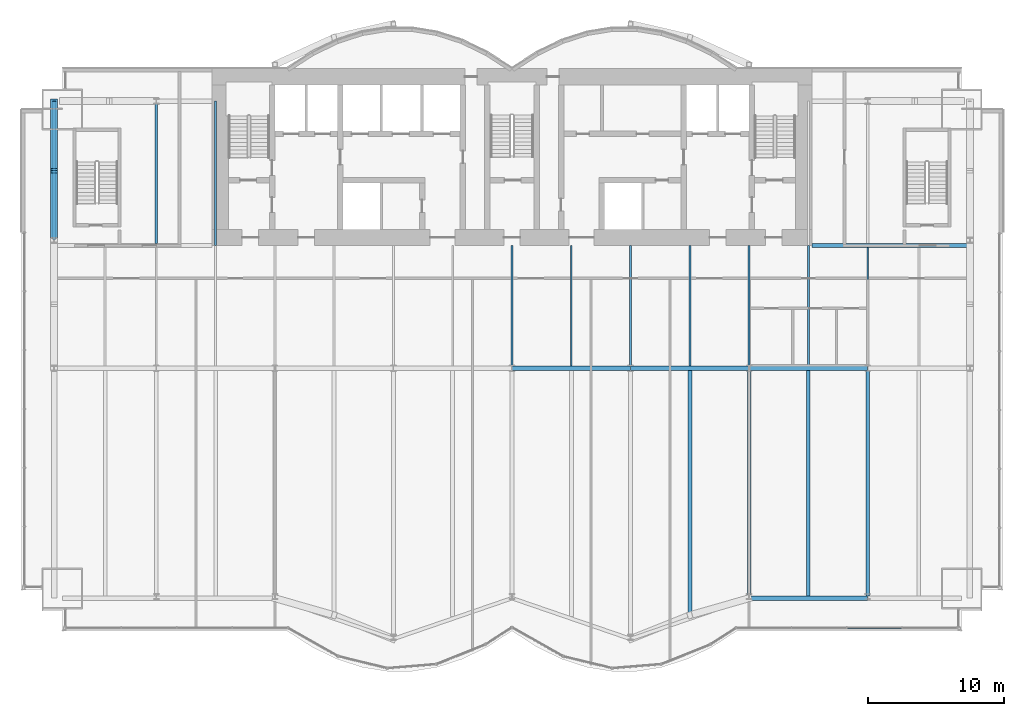
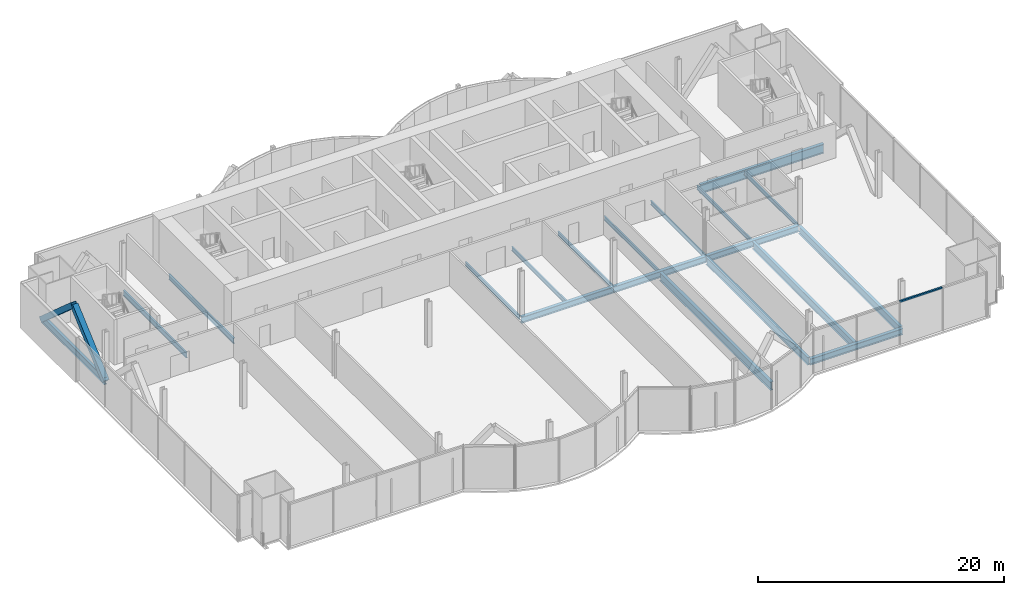
# One storey, part 9 of 21: 19 beams, 3 members, 1 element without a shape of its own.
"""IFC4 building model written with IfcOpenShell, lengths in metres."""

from ifc_helpers import new_model, si_unit, direction, frame, origin, origin_2d, place, context, subcontext, project, spatial, rectangle, hollow_rectangle, i_section, extrude, material, material_profile, profile_set, type_object, element, aggregate, save


model = new_model("IFC4")

# Units and contexts
model_context = context("Model", 3, precision=1e-05, world=origin(), true_north=direction((0.0, 1.0)))
body_context = subcontext(model_context, "Body", "Model", "MODEL_VIEW")
ifc_project = project(units=[si_unit("LENGTHUNIT", "METRE"), si_unit("AREAUNIT", "SQUARE_METRE"), si_unit("VOLUMEUNIT", "CUBIC_METRE"), si_unit("PLANEANGLEUNIT", "RADIAN"), si_unit("MASSUNIT", "GRAM", prefix="KILO")], contexts=[model_context])

# Site, building, storey
site_placement = place(None, origin())
site = spatial("IfcSite", under=ifc_project, at=site_placement, CompositionType="ELEMENT")
building_placement = place(site_placement, origin())
building = spatial("IfcBuilding", under=site, at=building_placement, Name="Bicima Exchange Tower", CompositionType="ELEMENT")
storey_placement = place(building_placement, frame((0.0, 0.0, 48.5)))
storey = spatial("IfcBuildingStorey", under=building, at=storey_placement, Name="L09", CompositionType="ELEMENT", Elevation=48.5)

# Beams
ifc_material_1 = material(Name="Steel ASTM A992 Gr 50", Category="steel")
ifc_material_profile_1 = material_profile(ifc_material_1, i_section(OverallWidth=0.3046875, OverallDepth=0.911865234375, WebThickness=0.015869140625, FlangeThickness=0.02392578125, at=origin_2d()))
ifc_profile_set_1 = profile_set([ifc_material_profile_1], Name="Steel ASTM A992 Gr 50")
beam_type_1 = type_object("IfcBeamType", Name="Core-line girder W36x150", PredefinedType="BEAM", material=ifc_profile_set_1)
beam_1_placement = place(storey_placement, frame((22.0, -13.0, -0.60595703125), z_axis=(1.0, 0.0, 0.0), x_axis=(0.0, 1.0, 0.0)))
element("IfcBeam", 1, at=beam_1_placement, inside=storey, type_object=beam_type_1, Name="Core-line girder", PredefinedType="BEAM", context=body_context, shape_type="SweptSolid", body=[
    extrude(i_section(OverallWidth=0.3046875, OverallDepth=0.911865234375, WebThickness=0.015869140625, FlangeThickness=0.02392578125, at=origin_2d()), origin(), (0.0, 0.0, 1.0), 11.60009765625),
])
ifc_material_profile_2 = material_profile(ifc_material_1, i_section(OverallWidth=0.256591796875, OverallDepth=0.693359375, WebThickness=0.014404296875, FlangeThickness=0.023681640625, at=origin_2d()))
ifc_profile_set_2 = profile_set([ifc_material_profile_2], Name="Steel ASTM A992 Gr 50")
beam_type_2 = type_object("IfcBeamType", Name="End girder W27x114", PredefinedType="BEAM", material=ifc_profile_set_2)
beam_2_placement = place(storey_placement, frame((-33.60009765625, -2.39990234375, -0.49658203125), z_axis=(0.0, -1.0, 0.0), x_axis=(1.0, 0.0, 0.0)))
element("IfcBeam", 2, at=beam_2_placement, inside=storey, type_object=beam_type_2, Name="End girder", PredefinedType="BEAM", context=body_context, shape_type="SweptSolid", body=[
    extrude(i_section(OverallWidth=0.256591796875, OverallDepth=0.693359375, WebThickness=0.014404296875, FlangeThickness=0.023681640625, at=origin_2d()), origin(), (0.0, 0.0, 1.0), 10.2001953125),
])
ifc_material_profile_3 = material_profile(ifc_material_1, i_section(OverallWidth=0.140380859375, OverallDepth=0.40380859375, WebThickness=0.007080078125, FlangeThickness=0.01123046875, at=origin_2d()))
ifc_profile_set_3 = profile_set([ifc_material_profile_3], Name="Steel ASTM A992 Gr 50")
beam_type_3 = type_object("IfcBeamType", Name="Floor beam W16x31", PredefinedType="JOIST", material=ifc_profile_set_3)
for number, where, z_axis, x_axis, name in (
    (3, (0.0, -13.0, -0.351806640625), (0.0, -1.0, 0.0), (1.0, 0.0, 0.0), "Floor beam"),
    (4, (4.35009765625, -13.0, -0.351806640625), (0.0, -1.0, 0.0), (1.0, 0.0, 0.0), "Floor beam"),
    (5, (8.699951171875, -13.0, -0.351806640625), (0.0, -1.0, 0.0), (1.0, 0.0, 0.0), "Floor beam"),
    (6, (13.050048828125, -13.0, -0.351806640625), (0.0, -1.0, 0.0), (1.0, 0.0, 0.0), "Floor beam"),
    (7, (17.39990234375, -13.0, -0.351806640625), (0.0, -1.0, 0.0), (1.0, 0.0, 0.0), "Floor beam"),
    (8, (21.75, -13.0, -0.351806640625), (0.0, -1.0, 0.0), (1.0, 0.0, 0.0), "Floor beam"),
):
    element("IfcBeam", number, at=place(storey_placement, frame(where, z_axis=z_axis, x_axis=x_axis)), inside=storey, type_object=beam_type_3, Name=name, PredefinedType="JOIST", context=body_context, shape_type="SweptSolid", body=[
        extrude(i_section(OverallWidth=0.140380859375, OverallDepth=0.40380859375, WebThickness=0.007080078125, FlangeThickness=0.01123046875, at=origin_2d()), origin(), (0.0, 0.0, 1.0), 8.83740234375),
    ])
beam_3_placement = place(storey_placement, frame((26.10009765625, -13.15234375, -0.351806640625), z_axis=(0.0, -1.0, 0.0), x_axis=(1.0, 0.0, 0.0)))
element("IfcBeam", 9, at=beam_3_placement, inside=storey, type_object=beam_type_3, Name="Floor beam", PredefinedType="JOIST", context=body_context, shape_type="SweptSolid", body=[
    extrude(i_section(OverallWidth=0.140380859375, OverallDepth=0.40380859375, WebThickness=0.007080078125, FlangeThickness=0.01123046875, at=origin_2d()), origin(), (0.0, 0.0, 1.0), 8.68505859375),
])
ifc_material_profile_4 = material_profile(ifc_material_1, i_section(OverallWidth=0.165771484375, OverallDepth=0.5283203125, WebThickness=0.009765625, FlangeThickness=0.013671875, at=origin_2d()))
ifc_profile_set_4 = profile_set([ifc_material_profile_4], Name="Steel ASTM A992 Gr 50")
beam_type_4 = type_object("IfcBeamType", Name="Floor beam W21x50", PredefinedType="JOIST", material=ifc_profile_set_4)
beam_4_placement = place(storey_placement, frame((-26.10009765625, -2.5625, -0.414306640625), z_axis=(0.0, -1.0, 0.0), x_axis=(1.0, 0.0, 0.0)))
element("IfcBeam", 10, at=beam_4_placement, inside=storey, type_object=beam_type_4, Name="Floor beam", PredefinedType="JOIST", context=body_context, shape_type="SweptSolid", body=[
    extrude(i_section(OverallWidth=0.165771484375, OverallDepth=0.5283203125, WebThickness=0.009765625, FlangeThickness=0.013671875, at=origin_2d()), origin(), (0.0, 0.0, 1.0), 10.28515625),
])
beam_5_placement = place(storey_placement, frame((-21.75, -2.39990234375, -0.414306640625), z_axis=(0.0, -1.0, 0.0), x_axis=(1.0, 0.0, 0.0)))
element("IfcBeam", 11, at=beam_5_placement, inside=storey, type_object=beam_type_4, Name="Floor beam", PredefinedType="JOIST", context=body_context, shape_type="SweptSolid", body=[
    extrude(i_section(OverallWidth=0.165771484375, OverallDepth=0.5283203125, WebThickness=0.009765625, FlangeThickness=0.013671875, at=origin_2d()), origin(), (0.0, 0.0, 1.0), 10.60009765625),
])
ifc_material_profile_5 = material_profile(ifc_material_1, i_section(OverallWidth=0.2666015625, OverallDepth=0.75439453125, WebThickness=0.01318359375, FlangeThickness=0.01708984375, at=origin_2d()))
ifc_profile_set_5 = profile_set([ifc_material_profile_5], Name="Steel ASTM A992 Gr 50")
beam_type_5 = type_object("IfcBeamType", Name="Floor beam W30x99", PredefinedType="JOIST", material=ifc_profile_set_5)
beam_6_placement = place(storey_placement, frame((17.39990234375, -22.16259765625, -0.527099609375), z_axis=(0.0, -1.0, 0.0), x_axis=(1.0, 0.0, 0.0)))
element("IfcBeam", 12, at=beam_6_placement, inside=storey, type_object=beam_type_5, Name="Floor beam", PredefinedType="JOIST", context=body_context, shape_type="SweptSolid", body=[
    extrude(i_section(OverallWidth=0.2666015625, OverallDepth=0.75439453125, WebThickness=0.01318359375, FlangeThickness=0.01708984375, at=origin_2d()), origin(), (0.0, 0.0, 1.0), 16.56982421875),
])
for number, where, z_axis, x_axis, name in (
    (13, (21.75, -22.16259765625, -0.527099609375), (0.0, -1.0, 0.0), (1.0, 0.0, 0.0), "Floor beam"),
    (14, (26.10009765625, -22.16259765625, -0.527099609375), (0.0, -1.0, 0.0), (1.0, 0.0, 0.0), "Floor beam"),
):
    element("IfcBeam", number, at=place(storey_placement, frame(where, z_axis=z_axis, x_axis=x_axis)), inside=storey, type_object=beam_type_5, Name=name, PredefinedType="JOIST", context=body_context, shape_type="SweptSolid", body=[
        extrude(i_section(OverallWidth=0.2666015625, OverallDepth=0.75439453125, WebThickness=0.01318359375, FlangeThickness=0.01708984375, at=origin_2d()), origin(), (0.0, 0.0, 1.0), 16.542724609375),
    ])
ifc_material_profile_6 = material_profile(ifc_material_1, i_section(OverallWidth=0.2919921875, OverallDepth=0.835693359375, WebThickness=0.013916015625, FlangeThickness=0.018798828125, at=origin_2d()))
ifc_profile_set_6 = profile_set([ifc_material_profile_6], Name="Steel ASTM A992 Gr 50")
beam_type_6 = type_object("IfcBeamType", Name="Floor beam W33x118", PredefinedType="JOIST", material=ifc_profile_set_6)
beam_7_placement = place(storey_placement, frame((13.050048828125, -22.16259765625, -0.56787109375), z_axis=(0.0, -1.0, 0.0), x_axis=(1.0, 0.0, 0.0)))
element("IfcBeam", 15, at=beam_7_placement, inside=storey, type_object=beam_type_6, Name="Floor beam", PredefinedType="JOIST", context=body_context, shape_type="SweptSolid", body=[
    extrude(i_section(OverallWidth=0.2919921875, OverallDepth=0.835693359375, WebThickness=0.013916015625, FlangeThickness=0.018798828125, at=origin_2d()), origin(), (0.0, 0.0, 1.0), 18.065185546875),
])
ifc_material_profile_7 = material_profile(ifc_material_1, i_section(OverallWidth=0.3251953125, OverallDepth=0.612060546875, WebThickness=0.0126953125, FlangeThickness=0.01904296875, at=origin_2d()))
ifc_profile_set_7 = profile_set([ifc_material_profile_7], Name="Steel ASTM A992 Gr 50")
beam_type_7 = type_object("IfcBeamType", Name="Front girder W24x104", PredefinedType="BEAM", material=ifc_profile_set_7)
beam_8_placement = place(storey_placement, frame((17.39990234375, -38.867919921875, -0.4560546875), z_axis=(1.0, 0.0, 0.0), x_axis=(0.0, 1.0, 0.0)))
element("IfcBeam", 16, at=beam_8_placement, inside=storey, type_object=beam_type_7, Name="Front girder", PredefinedType="BEAM", context=body_context, shape_type="SweptSolid", body=[
    extrude(i_section(OverallWidth=0.3251953125, OverallDepth=0.612060546875, WebThickness=0.0126953125, FlangeThickness=0.01904296875, at=origin_2d()), origin(), (0.0, 0.0, 1.0), 8.7001953125),
])

# Curtain wall, member
ifc_material_2 = material(Name="Anodised bronze aluminium", Category="aluminium")
curtain_wall_type = type_object("IfcCurtainWallType", Name="Front glass wall", PredefinedType="NOTDEFINED", material=ifc_material_2)
curtain_wall_placement = place(storey_placement, origin())
curtain_wall = element("IfcCurtainWall", 17, at=curtain_wall_placement, inside=storey, type_object=curtain_wall_type, Name="Front glass wall L09 run 16", PredefinedType="NOTDEFINED")
ifc_material_profile_8 = material_profile(ifc_material_2, rectangle(XDim=0.159912109375, YDim=0.139892578125, at=origin_2d()))
ifc_profile_set_8 = profile_set([ifc_material_profile_8], Name="Anodised bronze aluminium")
member_type_1 = type_object("IfcMemberType", Name="Front glass wall transom 140 x 160", PredefinedType="USERDEFINED", material=ifc_profile_set_8)
member_placement = place(storey_placement, frame((24.591064453125, -41.0380859375, 4.280029296875), z_axis=(1.0, 0.0, 0.0), x_axis=(0.0, 1.0, 0.0)))
member = element("IfcMember", 18, at=member_placement, type_object=member_type_1, Name="Front glass wall transom 3.1", ObjectType="TRANSOM", PredefinedType="USERDEFINED", context=body_context, shape_type="SweptSolid", body=[
    extrude(rectangle(XDim=0.159912109375, YDim=0.139892578125, at=origin_2d()), origin(), (0.0, 0.0, 1.0), 3.989501953125),
])
aggregate(curtain_wall, [member])

# Members
ifc_material_3 = material(Name="Steel ASTM A572 Gr 50", Category="steel")
ifc_material_profile_9 = material_profile(ifc_material_3, hollow_rectangle(XDim=0.508056640625, YDim=0.508056640625, WallThickness=0.017822265625, at=origin_2d()))
ifc_profile_set_9 = profile_set([ifc_material_profile_9], Name="Steel ASTM A572 Gr 50")
member_type_2 = type_object("IfcMemberType", Name="Mega brace HSS20x20x3/4", PredefinedType="BRACE", material=ifc_profile_set_9)
for number, where, z_axis, x_axis, name in (
    (19, (-33.60009765625, -2.39990234375, -0.49658203125), (0.0, -0.749844140428, 0.661614513948), (1.0, 0.0, 0.0), "Mega brace west end"),
    (20, (-33.60009765625, -12.60009765625, -0.49658203125), (0.0, 0.749844140428, 0.661614513948), (-1.0, 0.0, 0.0), "Mega brace west end"),
):
    element("IfcMember", number, at=place(storey_placement, frame(where, z_axis=z_axis, x_axis=x_axis)), inside=storey, type_object=member_type_2, Name=name, PredefinedType="BRACE", context=body_context, shape_type="SweptSolid", body=[
        extrude(hollow_rectangle(XDim=0.508056640625, YDim=0.508056640625, WallThickness=0.017822265625, at=origin_2d()), origin(), (0.0, 0.0, 1.0), 6.801513671875),
    ])

# Beams
beam_type_8 = type_object("IfcBeamType", Name="Row girder W24x104", PredefinedType="BEAM", material=ifc_profile_set_7)
for number, where, z_axis, x_axis, name in (
    (21, (0.0, -22.0, -0.4560546875), (1.0, 0.0, 0.0), (0.0, 1.0, 0.0), "Row girder"),
    (22, (8.699951171875, -22.0, -0.4560546875), (1.0, 0.0, 0.0), (0.0, 1.0, 0.0), "Row girder"),
):
    element("IfcBeam", number, at=place(storey_placement, frame(where, z_axis=z_axis, x_axis=x_axis)), inside=storey, type_object=beam_type_8, Name=name, PredefinedType="BEAM", context=body_context, shape_type="SweptSolid", body=[
        extrude(i_section(OverallWidth=0.3251953125, OverallDepth=0.612060546875, WebThickness=0.0126953125, FlangeThickness=0.01904296875, at=origin_2d()), origin(), (0.0, 0.0, 1.0), 8.699951171875),
    ])
beam_9_placement = place(storey_placement, frame((17.39990234375, -22.0, -0.4560546875), z_axis=(1.0, 0.0, 0.0), x_axis=(0.0, 1.0, 0.0)))
element("IfcBeam", 23, at=beam_9_placement, inside=storey, type_object=beam_type_8, Name="Row girder", PredefinedType="BEAM", context=body_context, shape_type="SweptSolid", body=[
    extrude(i_section(OverallWidth=0.3251953125, OverallDepth=0.612060546875, WebThickness=0.0126953125, FlangeThickness=0.01904296875, at=origin_2d()), origin(), (0.0, 0.0, 1.0), 8.7001953125),
])

save(model, "model.ifc")
